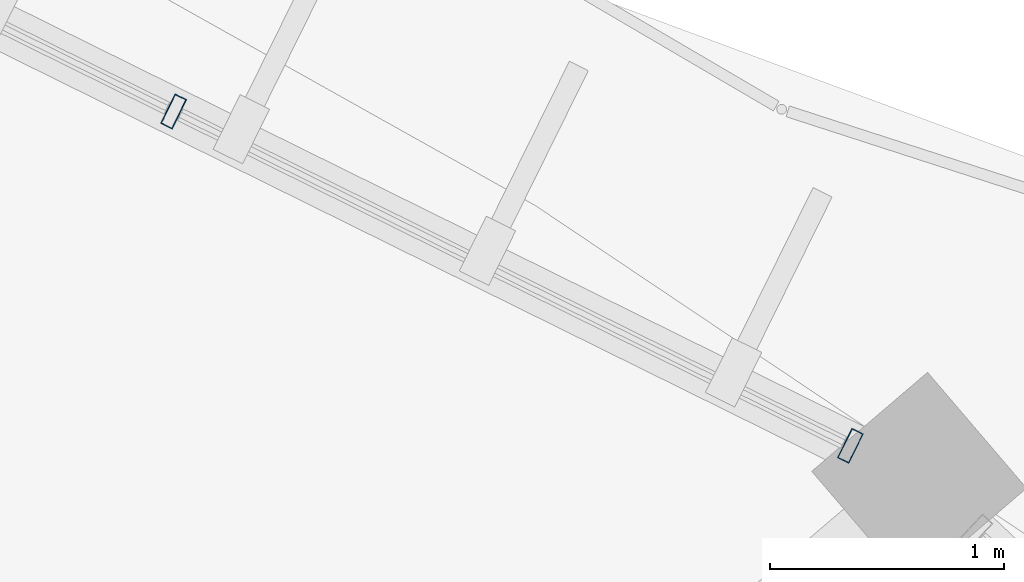
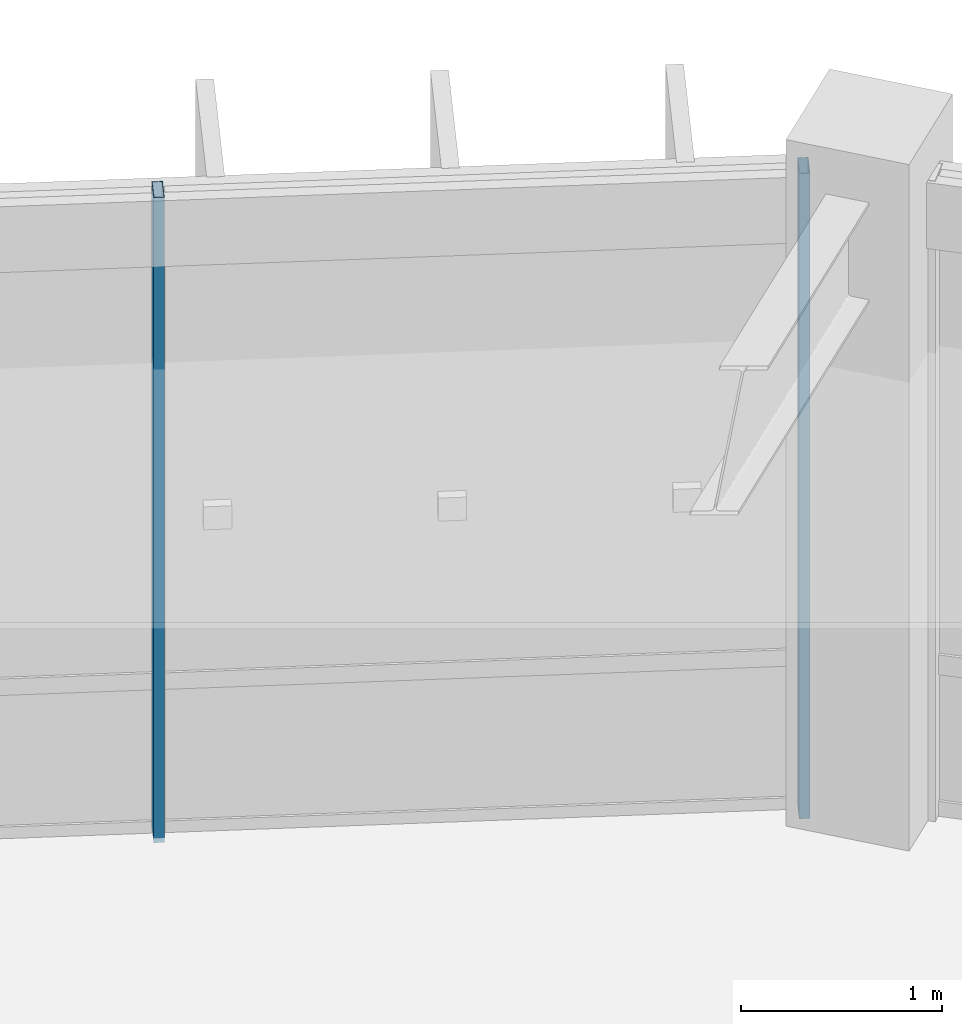
# One storey, part 66 of 114: 2 members, 1 element without a shape of its own.
"""IFC4 building model written with IfcOpenShell, lengths in metres."""

from ifc_helpers import new_model, si_unit, direction, frame, origin, origin_2d, place, context, subcontext, project, spatial, hollow_rectangle, extrude, material, material_profile, profile_set, type_object, element, aggregate, save


model = new_model("IFC4")

# Units and contexts
model_context = context("Model", 3, precision=1e-05, world=origin(), true_north=direction((0.0, 1.0)))
body_context = subcontext(model_context, "Body", "Model", "MODEL_VIEW")
ifc_project = project(units=[si_unit("LENGTHUNIT", "METRE"), si_unit("AREAUNIT", "SQUARE_METRE"), si_unit("VOLUMEUNIT", "CUBIC_METRE"), si_unit("PLANEANGLEUNIT", "RADIAN"), si_unit("MASSUNIT", "GRAM", prefix="KILO"), si_unit("THERMODYNAMICTEMPERATUREUNIT", "KELVIN"), si_unit("POWERUNIT", "WATT")], contexts=[model_context])

# Site, building, storey
site_placement = place(None, origin())
site = spatial("IfcSite", under=ifc_project, at=site_placement, CompositionType="ELEMENT")
building_placement = place(site_placement, origin())
building = spatial("IfcBuilding", under=site, at=building_placement, Name="Darbajah Civic Hall", CompositionType="ELEMENT")
storey_placement = place(building_placement, frame((0.0, 0.0, 13.800048828125)))
storey = spatial("IfcBuildingStorey", under=building, at=storey_placement, Name="L03", CompositionType="ELEMENT", Elevation=13.800048828125)

# Curtain wall, members
ifc_material_1 = material(Name="Anodised Bronze Aluminium and Low-E Glazing", Category="aluminium")
curtain_wall_type = type_object("IfcCurtainWallType", Name="Unitised Curtain Wall CW-56 12900x3900", PredefinedType="USERDEFINED", material=ifc_material_1)
curtain_wall_placement = place(storey_placement, origin())
curtain_wall = element("IfcCurtainWall", 1, at=curtain_wall_placement, inside=storey, type_object=curtain_wall_type, Name="L03 unitised curtain wall CW-V1O-L03-02", ObjectType="UNITISED CURTAIN WALL", PredefinedType="USERDEFINED")
ifc_material_2 = material(Name="Anodised Bronze Aluminium", Category="aluminium")
ifc_material_profile = material_profile(ifc_material_2, hollow_rectangle(XDim=0.054931640625, YDim=0.139892578125, WallThickness=0.003173828125, at=origin_2d()), Name="ALU MULLION 55x140")
ifc_profile_set = profile_set([ifc_material_profile], Name="Anodised Bronze Aluminium")
member_type = type_object("IfcMemberType", Name="ALU MULLION 55x140", PredefinedType="MULLION", material=ifc_profile_set)
member_1_placement = place(storey_placement, frame((127.58740234375, 109.103515625, 0.0), z_axis=(0.0, 0.0, 1.0), x_axis=(-0.89656374724, 0.442914717678, 0.0)))
member_1 = element("IfcMember", 2, at=member_1_placement, type_object=member_type, Name="CW-V1O-L03-02 mullion 1", PredefinedType="MULLION", context=body_context, shape_type="SweptSolid", body=[
    extrude(hollow_rectangle(XDim=0.054931640625, YDim=0.139892578125, WallThickness=0.003173828125, at=origin_2d()), origin(), (0.0, 0.0, 1.0), 3.919921875),
])
member_2_placement = place(storey_placement, frame((124.70068359375, 110.52978515625, 0.0), z_axis=(0.0, 0.0, 1.0), x_axis=(-0.89656374724, 0.442914717678, 0.0)))
member_2 = element("IfcMember", 3, at=member_2_placement, type_object=member_type, Name="CW-V1O-L03-02 mullion 2", PredefinedType="MULLION", context=body_context, shape_type="SweptSolid", body=[
    extrude(hollow_rectangle(XDim=0.054931640625, YDim=0.139892578125, WallThickness=0.003173828125, at=origin_2d()), origin(), (0.0, 0.0, 1.0), 3.919921875),
])
aggregate(curtain_wall, [member_1, member_2])

save(model, "model.ifc")
